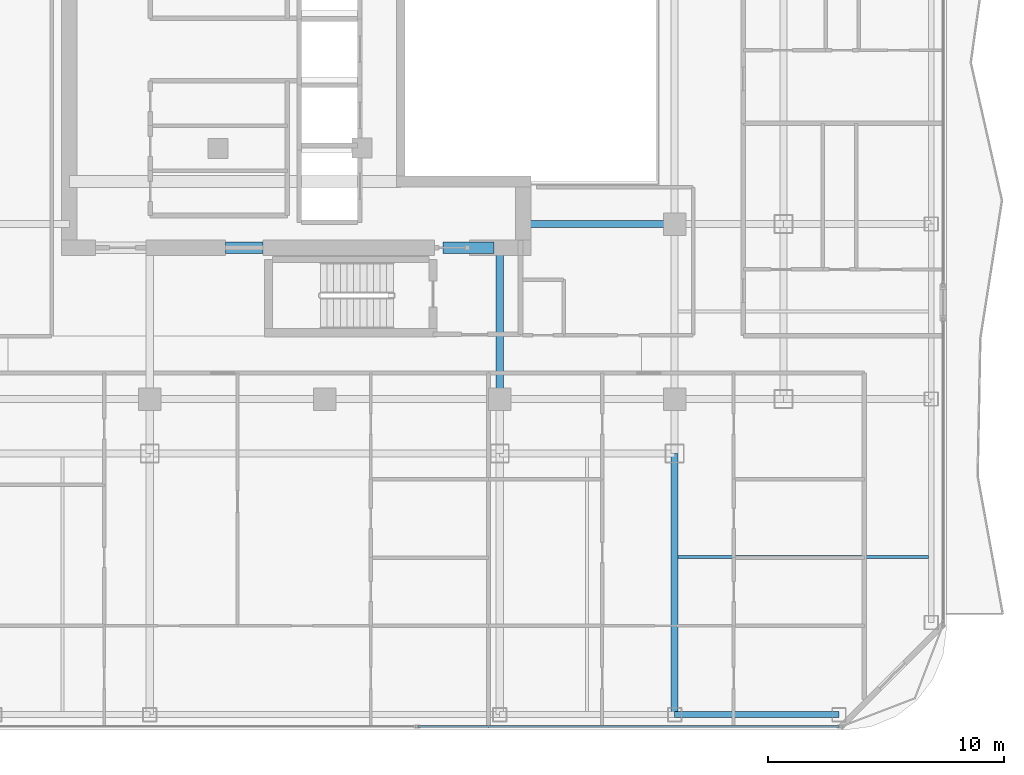
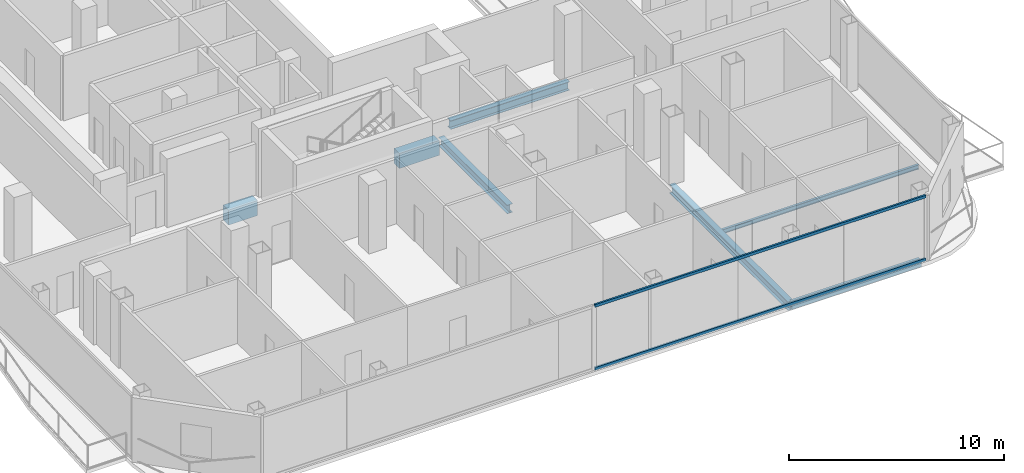
# One storey, part 9 of 27: 7 beams, 2 members, 1 element without a shape of its own.
"""IFC4 building model written with IfcOpenShell, lengths in metres."""

import ifcopenshell
import ifcopenshell.guid

model = None  # the IFC model being written
_history = None  # IfcOwnerHistory: only IFC2X3 demands one
_inside = {}  # id of a spatial element -> (the spatial element, [elements in it])
_under = {}  # id of a project, library or spatial element -> (it, [spatial elements below it])
_declared = {}  # id of a project -> (the project, [libraries it declares])
_typed = {}  # id of a type object -> (the type object, [elements of that type])
_made_of = {}  # id of a material, layer set ... -> (it, [elements and type objects made of it])


def new_model(schema):
    """Start an empty IFC model of exactly this schema.

    Asked for "IFC4X3", IfcOpenShell would pick the latest addendum, in which some entities
    have other attributes; the version numbers below select the first issue.
    IFC2X3 requires an IfcOwnerHistory on every rooted entity: one is made here for all.
    """
    global model, _history
    if schema == "IFC4X3":
        model = ifcopenshell.file(schema_version=(4, 3, 0, 0))
    else:
        model = ifcopenshell.file(schema=schema)
    _inside.clear()
    _under.clear()
    _declared.clear()
    _typed.clear()
    _made_of.clear()
    _history = None
    if model.schema == "IFC2X3":
        org = make("IfcOrganization", Name="unknown")
        user = make(
            "IfcPersonAndOrganization",
            ThePerson=make("IfcPerson", FamilyName="unknown"),
            TheOrganization=org,
        )
        app = make(
            "IfcApplication",
            ApplicationDeveloper=org,
            Version="unknown",
            ApplicationFullName="unknown",
            ApplicationIdentifier="unknown",
        )
        _history = make(
            "IfcOwnerHistory",
            OwningUser=user,
            OwningApplication=app,
            ChangeAction="ADDED",
            CreationDate=0,
        )
    return model


def make(cls, **values):
    """One entity of the class cls with the attributes given. An attribute that is None is left unset."""
    return model.create_entity(
        cls, **{name: value for name, value in values.items() if value is not None}
    )


def rooted(cls, **values):
    """An entity with a GlobalId (a new one), such as an element, a storey or a relation."""
    return make(cls, GlobalId=ifcopenshell.guid.new(), OwnerHistory=_history, **values)


def si_unit(unit_type, name, prefix=None):
    """IfcSIUnit, for example si_unit("LENGTHUNIT", "METRE", prefix="MILLI")."""
    return make("IfcSIUnit", UnitType=unit_type, Prefix=prefix, Name=name)


def assignment(units):
    """IfcUnitAssignment: the units of a project."""
    return None if units is None else make("IfcUnitAssignment", Units=units)


def point(xyz):
    """IfcCartesianPoint."""
    return None if xyz is None else make("IfcCartesianPoint", Coordinates=xyz)


def direction(xyz):
    """IfcDirection."""
    return None if xyz is None else make("IfcDirection", DirectionRatios=xyz)


def frame(location, z_axis=None, x_axis=None):
    """IfcAxis2Placement3D, a coordinate frame: its origin and axes. An axis left out is left unset."""
    return make(
        "IfcAxis2Placement3D",
        Location=point(location),
        Axis=direction(z_axis),
        RefDirection=direction(x_axis),
    )


def frame_2d(location, x_axis=None):
    """IfcAxis2Placement2D, a coordinate frame in the plane: its origin and x axis."""
    return make(
        "IfcAxis2Placement2D", Location=point(location), RefDirection=direction(x_axis)
    )


def origin():
    """The frame at (0, 0, 0) with its axes left unset."""
    return frame((0.0, 0.0, 0.0))


def origin_2d():
    """The frame at (0, 0) in the plane with its x axis left unset."""
    return frame_2d((0.0, 0.0))


def place(relative_to, where):
    """IfcLocalPlacement: puts the frame where relative to a parent placement (None: the world)."""
    return make(
        "IfcLocalPlacement", PlacementRelTo=relative_to, RelativePlacement=where
    )


def context(
    kind, dimensions, precision=None, world=None, true_north=None, identifier=None
):
    """IfcGeometricRepresentationContext, for example the 3D "Model" context."""
    return make(
        "IfcGeometricRepresentationContext",
        ContextIdentifier=identifier,
        ContextType=kind,
        CoordinateSpaceDimension=dimensions,
        Precision=precision,
        WorldCoordinateSystem=world,
        TrueNorth=true_north,
    )


def subcontext(parent, identifier, kind, view, scale=None):
    """IfcGeometricRepresentationSubContext, for example "Body" below "Model"."""
    return make(
        "IfcGeometricRepresentationSubContext",
        ContextIdentifier=identifier,
        ContextType=kind,
        ParentContext=parent,
        TargetScale=scale,
        TargetView=view,
    )


def project(units=None, contexts=None):
    """IfcProject with its units and contexts."""
    return rooted(
        "IfcProject",
        Name="project",
        RepresentationContexts=contexts,
        UnitsInContext=assignment(units),
    )


def spatial(cls, under=None, at=None, **own):
    """A site, building, storey or space (cls), placed at a placement, below another one or the project."""
    s = rooted(cls, ObjectPlacement=at, **own)
    if under is not None:
        _under.setdefault(under.id(), (under, []))[1].append(s)
    return s


def profile(cls, at=None, kind="AREA", **sizes):
    """A parametric profile (cls). Its sizes go by their IFC names, for example OverallWidth=200.0."""
    return make(cls, ProfileType=kind, Position=at, **sizes)


def rectangle(**sizes):
    """IfcRectangleProfileDef."""
    return profile("IfcRectangleProfileDef", **sizes)


def hollow_rectangle(**sizes):
    """IfcRectangleHollowProfileDef."""
    return profile("IfcRectangleHollowProfileDef", **sizes)


def i_section(**sizes):
    """IfcIShapeProfileDef."""
    return profile("IfcIShapeProfileDef", **sizes)


def extrude(swept, where, along, depth):
    """IfcExtrudedAreaSolid: the profile swept, set in the frame where, extruded along a direction by depth."""
    return make(
        "IfcExtrudedAreaSolid",
        SweptArea=swept,
        Position=where,
        ExtrudedDirection=direction(along),
        Depth=depth,
    )


def shape(context_of_items, identifier, shape_type, items):
    """IfcShapeRepresentation: the items that make up one representation, for example the "Body"."""
    return make(
        "IfcShapeRepresentation",
        ContextOfItems=context_of_items,
        RepresentationIdentifier=identifier,
        RepresentationType=shape_type,
        Items=items,
    )


def material(Name=None, Category=None):
    """IfcMaterial."""
    return make("IfcMaterial", Name=Name, Category=Category)


def layer(
    of_material, thickness, ventilated=None, Name=None, Category=None, Priority=None
):
    """IfcMaterialLayer: one layer of a wall or slab, of a material (None: an air gap)."""
    return make(
        "IfcMaterialLayer",
        Material=of_material,
        LayerThickness=thickness,
        IsVentilated=ventilated,
        Name=Name,
        Category=Category,
        Priority=Priority,
    )


def layer_set(layers, Name=None):
    """IfcMaterialLayerSet."""
    return make("IfcMaterialLayerSet", MaterialLayers=layers, LayerSetName=Name)


def material_profile(
    of_material, cross_section, Name=None, Category=None, Priority=None
):
    """IfcMaterialProfile: a cross section and its material."""
    return make(
        "IfcMaterialProfile",
        Name=Name,
        Material=of_material,
        Profile=cross_section,
        Priority=Priority,
        Category=Category,
    )


def profile_set(profiles, Name=None, composite=None):
    """IfcMaterialProfileSet."""
    return make(
        "IfcMaterialProfileSet",
        Name=Name,
        MaterialProfiles=profiles,
        CompositeProfile=composite,
    )


def made_of(thing, what):
    """Note that an element or type object is made of a material, layer set ...; save() writes the relation."""
    if what is not None:
        _made_of.setdefault(what.id(), (what, []))[1].append(thing)
    return thing


def type_object(cls, material=None, **own):
    """A type object (cls), such as IfcWallType, which elements share."""
    return made_of(rooted(cls, **own), material)


def element(
    cls,
    number,
    at=None,
    inside=None,
    cuts=None,
    type_object=None,
    material=None,
    context=None,
    identifier="Body",
    shape_type=None,
    held_by="IfcProductDefinitionShape",
    body=None,
    shapes=None,
    **own,
):
    """One element of the class cls, such as IfcWall. Its Tag is "e" and its number.

    at: its placement. inside: the storey or other place that contains it. cuts: it is an
    opening in that element (IfcRelVoidsElement). A single representation is given by context,
    identifier, shape_type and body (its items); several are given by shapes. held_by: the class
    of the entity that holds the representations. save() writes the other relations.
    """
    e = rooted(cls, Tag="e%d" % number, ObjectPlacement=at, **own)
    if body is not None:
        shapes = [shape(context, identifier, shape_type, body)]
    if shapes is not None:
        e.Representation = make(held_by, Representations=shapes)
    if inside is not None:
        _inside.setdefault(inside.id(), (inside, []))[1].append(e)
    if cuts is not None:
        rooted(
            "IfcRelVoidsElement", RelatingBuildingElement=cuts, RelatedOpeningElement=e
        )
    if type_object is not None:
        _typed.setdefault(type_object.id(), (type_object, []))[1].append(e)
    return made_of(e, material)


def aggregate(whole, parts):
    """IfcRelAggregates: a whole, such as a stair, and the parts it consists of."""
    return rooted("IfcRelAggregates", RelatingObject=whole, RelatedObjects=parts)


def save(model, path):
    """Write the relations noted so far, then the file.

    IfcRelAggregates (storeys below a building ...), IfcRelContainedInSpatialStructure (elements
    in a storey), IfcRelDefinesByType, IfcRelAssociatesMaterial and IfcRelDeclares: one each for
    every whole, place, type object, material and project.
    """
    for whole, parts in _under.values():
        aggregate(whole, parts)
    for where, things in _inside.values():
        rooted(
            "IfcRelContainedInSpatialStructure",
            RelatedElements=things,
            RelatingStructure=where,
        )
    for kind, things in _typed.values():
        rooted("IfcRelDefinesByType", RelatedObjects=things, RelatingType=kind)
    for what, things in _made_of.values():
        rooted("IfcRelAssociatesMaterial", RelatedObjects=things, RelatingMaterial=what)
    for by, libraries in _declared.values():
        rooted("IfcRelDeclares", RelatingContext=by, RelatedDefinitions=libraries)
    model.write(path)


model = new_model("IFC4")

# Units and contexts
model_context = context("Model", 3, precision=1e-05, world=origin(), true_north=direction((0.0, 1.0)))
body_context = subcontext(model_context, "Body", "Model", "MODEL_VIEW")
ifc_project = project(units=[si_unit("LENGTHUNIT", "METRE"), si_unit("AREAUNIT", "SQUARE_METRE"), si_unit("VOLUMEUNIT", "CUBIC_METRE"), si_unit("PLANEANGLEUNIT", "RADIAN"), si_unit("MASSUNIT", "GRAM", prefix="KILO")], contexts=[model_context])

# Site, building, storey
site_placement = place(None, origin())
site = spatial("IfcSite", under=ifc_project, at=site_placement, CompositionType="ELEMENT")
building_placement = place(site_placement, origin())
building = spatial("IfcBuilding", under=site, at=building_placement, Name="Khorvyn Point Tower", CompositionType="ELEMENT")
storey_placement = place(building_placement, frame((0.0, 0.0, 243.0)))
storey = spatial("IfcBuildingStorey", under=building, at=storey_placement, Name="L59", CompositionType="ELEMENT", Elevation=243.0)

# Curtain wall, members
ifc_material_1 = material(Name="Anodised aluminium 6063-T6 and laminated Low-E glass", Category="aluminium")
ifc_layer = layer(ifc_material_1, 0.18994140625)
ifc_layer_set = layer_set([ifc_layer], Name="Stick-Built Acoustic Curtain Wall CW-SYS-03")
curtain_wall_type = type_object("IfcCurtainWallType", Name="Stick-Built Acoustic Curtain Wall CW-SYS-03", PredefinedType="NOTDEFINED", material=ifc_layer_set)
curtain_wall_placement = place(storey_placement, origin())
curtain_wall = element("IfcCurtainWall", 1, at=curtain_wall_placement, inside=storey, type_object=curtain_wall_type, Name="Curtain Wall", PredefinedType="NOTDEFINED")
ifc_material_2 = material(Name="Anodised aluminium 6063-T6", Category="aluminium")
ifc_material_profile_1 = material_profile(ifc_material_2, hollow_rectangle(XDim=0.10009765625, YDim=0.159912109375, WallThickness=0.00439453125, at=origin_2d()))
ifc_profile_set_1 = profile_set([ifc_material_profile_1], Name="Anodised aluminium 6063-T6 ALU-TRN-100x160")
member_type = type_object("IfcMemberType", Name="Anodised Aluminium 6063-T6 Transom ALU-TRN-100x160", PredefinedType="USERDEFINED", material=ifc_profile_set_1)
member_1_placement = place(storey_placement, frame((21.75, -28.64990234375, 0.050048828125), z_axis=(-1.0, 0.0, 0.0), x_axis=(0.0, -1.0, 0.0)))
member_1 = element("IfcMember", 2, at=member_1_placement, type_object=member_type, Name="Transom", ObjectType="TRANSOM", PredefinedType="USERDEFINED", context=body_context, shape_type="SweptSolid", body=[
    extrude(hollow_rectangle(XDim=0.10009765625, YDim=0.159912109375, WallThickness=0.00439453125, at=origin_2d()), origin(), (0.0, 0.0, 1.0), 17.800048828125),
])
member_2_placement = place(storey_placement, frame((21.75, -28.64990234375, 3.6298828125), z_axis=(-1.0, 0.0, 0.0), x_axis=(0.0, -1.0, 0.0)))
member_2 = element("IfcMember", 3, at=member_2_placement, type_object=member_type, Name="Transom", ObjectType="TRANSOM", PredefinedType="USERDEFINED", context=body_context, shape_type="SweptSolid", body=[
    extrude(hollow_rectangle(XDim=0.10009765625, YDim=0.159912109375, WallThickness=0.00439453125, at=origin_2d()), origin(), (0.0, 0.0, 1.0), 17.800048828125),
])
aggregate(curtain_wall, [member_1, member_2])

# Beams
ifc_material_3 = material(Name="Concrete C45/55", Category="concrete")
ifc_material_profile_2 = material_profile(ifc_material_3, rectangle(XDim=0.5, YDim=0.85009765625, at=origin_2d()))
ifc_profile_set_2 = profile_set([ifc_material_profile_2], Name="Concrete C45/55 RC500x850")
beam_type_1 = type_object("IfcBeamType", Name="Concrete C45/55 Beam RC500x850", PredefinedType="BEAM", material=ifc_profile_set_2)
beam_1_placement = place(storey_placement, frame((-4.199951171875, -8.39990234375, -0.64501953125), z_axis=(1.0, 0.0, 0.0), x_axis=(0.0, 1.0, 0.0)))
element("IfcBeam", 4, at=beam_1_placement, inside=storey, type_object=beam_type_1, Name="L59 Core Shuttle Portal Coupling Beam", PredefinedType="BEAM", context=body_context, shape_type="SweptSolid", body=[
    extrude(rectangle(XDim=0.5, YDim=0.85009765625, at=origin_2d()), origin(), (0.0, 0.0, 1.0), 1.579833984375),
])
beam_2_placement = place(storey_placement, frame((5.0, -8.39990234375, -0.64501953125), z_axis=(1.0, 0.0, 0.0), x_axis=(0.0, 1.0, 0.0)))
element("IfcBeam", 5, at=beam_2_placement, inside=storey, type_object=beam_type_1, Name="L59 Core Southeast Portal Coupling Beam", PredefinedType="BEAM", context=body_context, shape_type="SweptSolid", body=[
    extrude(rectangle(XDim=0.5, YDim=0.85009765625, at=origin_2d()), origin(), (0.0, 0.0, 1.0), 2.14990234375),
])
ifc_material_4 = material(Name="Steel S355", Category="steel")
ifc_material_profile_3 = material_profile(ifc_material_4, i_section(OverallWidth=0.125, OverallDepth=0.25, WebThickness=0.006103515625, FlangeThickness=0.009033203125, at=origin_2d()))
ifc_profile_set_3 = profile_set([ifc_material_profile_3], Name="Steel S355 H250x125x6x9")
beam_type_2 = type_object("IfcBeamType", Name="Steel S355 Joist H250x125x6x9", PredefinedType="JOIST", material=ifc_profile_set_3)
beam_3_placement = place(storey_placement, frame((14.949951171875, -21.47509765625, -0.344970703125), z_axis=(1.0, 0.0, 0.0), x_axis=(0.0, 1.0, 0.0)))
element("IfcBeam", 6, at=beam_3_placement, inside=storey, type_object=beam_type_2, Name="Beam", PredefinedType="JOIST", context=body_context, shape_type="SweptSolid", body=[
    extrude(i_section(OverallWidth=0.125, OverallDepth=0.25, WebThickness=0.006103515625, FlangeThickness=0.009033203125, at=origin_2d()), origin(), (0.0, 0.0, 1.0), 10.574951171875),
])
ifc_material_profile_4 = material_profile(ifc_material_4, i_section(OverallWidth=0.300048828125, OverallDepth=0.488037109375, WebThickness=0.010986328125, FlangeThickness=0.01806640625, at=origin_2d()))
ifc_profile_set_4 = profile_set([ifc_material_profile_4], Name="Steel S355 H488x300x11x18")
beam_type_3 = type_object("IfcBeamType", Name="Steel S355 Spandrel H488x300x11x18", PredefinedType="SPANDREL", material=ifc_profile_set_4)
beam_4_placement = place(storey_placement, frame((8.39990234375, -7.39990234375, -0.464111328125), z_axis=(1.0, 0.0, 0.0), x_axis=(0.0, 1.0, 0.0)))
element("IfcBeam", 7, at=beam_4_placement, inside=storey, type_object=beam_type_3, Name="Beam", PredefinedType="SPANDREL", context=body_context, shape_type="SweptSolid", body=[
    extrude(i_section(OverallWidth=0.300048828125, OverallDepth=0.488037109375, WebThickness=0.010986328125, FlangeThickness=0.01806640625, at=origin_2d()), origin(), (0.0, 0.0, 1.0), 6.400146484375),
])
beam_5_placement = place(storey_placement, frame((14.800048828125, -28.14990234375, -0.464111328125), z_axis=(0.0, 1.0, 0.0), x_axis=(-1.0, 0.0, 0.0)))
element("IfcBeam", 8, at=beam_5_placement, inside=storey, type_object=beam_type_3, Name="Beam", PredefinedType="SPANDREL", context=body_context, shape_type="SweptSolid", body=[
    extrude(i_section(OverallWidth=0.300048828125, OverallDepth=0.488037109375, WebThickness=0.010986328125, FlangeThickness=0.01806640625, at=origin_2d()), origin(), (0.0, 0.0, 1.0), 11.0498046875),
])
beam_6_placement = place(storey_placement, frame((7.39990234375, -14.800048828125, -0.464111328125), z_axis=(0.0, 1.0, 0.0), x_axis=(-1.0, 0.0, 0.0)))
element("IfcBeam", 9, at=beam_6_placement, inside=storey, type_object=beam_type_3, Name="Beam", PredefinedType="SPANDREL", context=body_context, shape_type="SweptSolid", body=[
    extrude(i_section(OverallWidth=0.300048828125, OverallDepth=0.488037109375, WebThickness=0.010986328125, FlangeThickness=0.01806640625, at=origin_2d()), origin(), (0.0, 0.0, 1.0), 6.400146484375),
])
ifc_material_profile_5 = material_profile(ifc_material_4, hollow_rectangle(XDim=0.25, YDim=0.39990234375, WallThickness=0.01611328125, at=origin_2d()))
ifc_profile_set_5 = profile_set([ifc_material_profile_5], Name="Steel S355 RHS400x250x16")
beam_type_4 = type_object("IfcBeamType", Name="Steel S355 Spandrel RHS400x250x16", PredefinedType="SPANDREL", material=ifc_profile_set_5)
beam_7_placement = place(storey_placement, frame((14.800048828125, -28.14990234375, -0.419921875), z_axis=(1.0, 0.0, 0.0), x_axis=(0.0, 1.0, 0.0)))
element("IfcBeam", 10, at=beam_7_placement, inside=storey, type_object=beam_type_4, Name="Beam", PredefinedType="SPANDREL", context=body_context, shape_type="SweptSolid", body=[
    extrude(hollow_rectangle(XDim=0.25, YDim=0.39990234375, WallThickness=0.01611328125, at=origin_2d()), origin(), (0.0, 0.0, 1.0), 6.949951171875),
])

save(model, "model.ifc")
